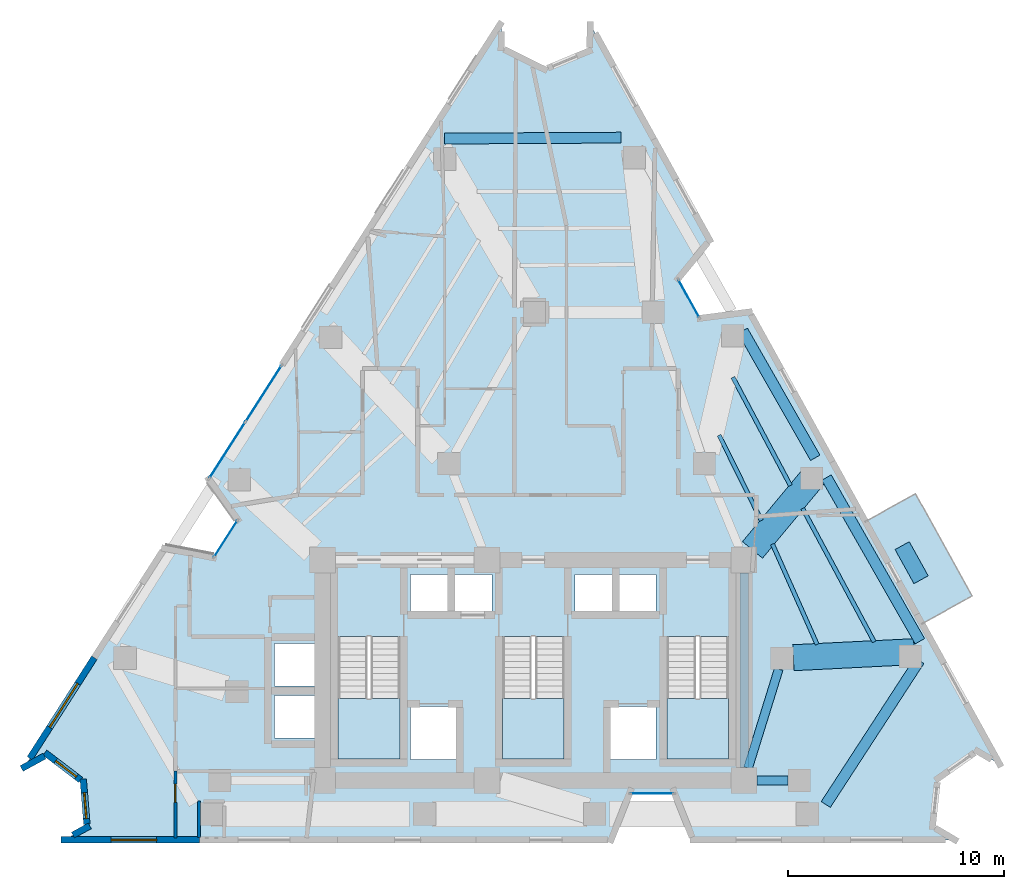
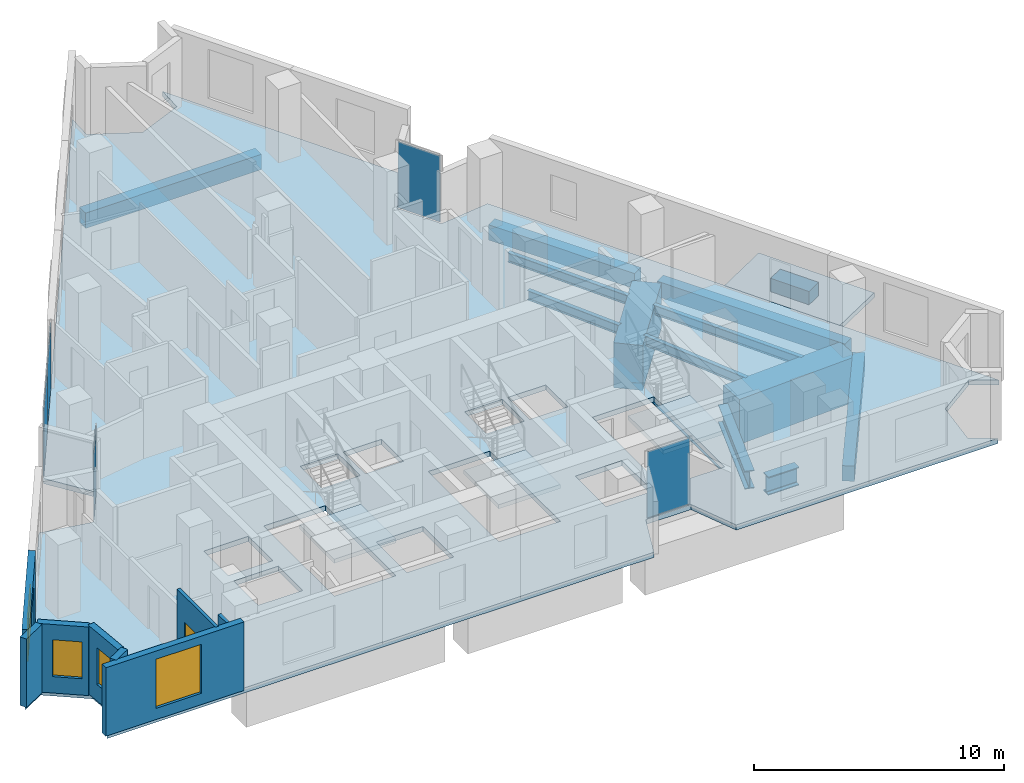
# One storey, part 4 of 11: 13 beams, 8 walls, 6 plates, 5 slabs, 4 windows, 1 door, 5 openings, 7 elements without a shape of their own.
"""IFC4 building model written with IfcOpenShell, lengths in metres."""

from ifc_helpers import new_model, si_unit, direction, frame, frame_2d, origin, origin_2d, place, context, subcontext, project, spatial, polyline, rectangle, i_section, outline, extrude, material, layer, layer_set, material_profile, profile_set, type_object, element, fill, aggregate, save


model = new_model("IFC4")

# Units and contexts
model_context = context("Model", 3, precision=1e-05, world=origin(), true_north=direction((0.0, 1.0)))
body_context = subcontext(model_context, "Body", "Model", "MODEL_VIEW")
ifc_project = project(units=[si_unit("LENGTHUNIT", "METRE"), si_unit("AREAUNIT", "SQUARE_METRE"), si_unit("VOLUMEUNIT", "CUBIC_METRE"), si_unit("PLANEANGLEUNIT", "RADIAN"), si_unit("MASSUNIT", "GRAM", prefix="KILO")], contexts=[model_context])

# Site, building, storey
site_placement = place(None, origin())
site = spatial("IfcSite", under=ifc_project, at=site_placement, CompositionType="ELEMENT")
building_placement = place(site_placement, origin())
building = spatial("IfcBuilding", under=site, at=building_placement, Name="Almagre Mirador Tower", CompositionType="ELEMENT")
storey_placement = place(building_placement, frame((0.0, 0.0, 153.60009765625)))
storey = spatial("IfcBuildingStorey", under=building, at=storey_placement, Name="L39", CompositionType="ELEMENT", Elevation=153.60009765625)

# Beams
ifc_material_1 = material(Name="Steel ASTM A992 Grade 50", Category="steel")
ifc_material_profile_1 = material_profile(ifc_material_1, i_section(OverallWidth=0.19091796875, OverallDepth=0.4599609375, WebThickness=0.010009765625, FlangeThickness=0.01611328125, FilletRadius=0.01611328125, at=origin_2d()), Name="W18X55")
ifc_profile_set_1 = profile_set([ifc_material_profile_1], Name="Steel ASTM A992 Grade 50")
beam_type_1 = type_object("IfcBeamType", Name="BM-JST-W18X55", PredefinedType="JOIST", material=ifc_profile_set_1)
beam_1_placement = place(storey_placement, frame((53.062255859375, 10.956787109375, -0.47998046875), z_axis=(-0.472710768093, 0.881217640387, 0.0), x_axis=(-0.881217640387, -0.472710768093, 0.0)))
element("IfcBeam", 1, at=beam_1_placement, inside=storey, type_object=beam_type_1, Name="L39 secondary floor joist PC05-PC06.1", PredefinedType="JOIST", context=body_context, shape_type="SweptSolid", body=[
    extrude(i_section(OverallWidth=0.19091796875, OverallDepth=0.4599609375, WebThickness=0.010009765625, FlangeThickness=0.01611328125, FilletRadius=0.01611328125, at=origin_2d()), origin(), (0.0, 0.0, 1.0), 7.00439453125),
])
beam_2_placement = place(storey_placement, frame((50.420654296875, 10.841796875, -0.47998046875), z_axis=(-0.406807753799, 0.913513793793, 0.0), x_axis=(-0.913513793793, -0.406807753799, 0.0)))
element("IfcBeam", 2, at=beam_2_placement, inside=storey, type_object=beam_type_1, Name="L39 secondary floor joist PC05-PC06.3", PredefinedType="JOIST", context=body_context, shape_type="SweptSolid", body=[
    extrude(i_section(OverallWidth=0.19091796875, OverallDepth=0.4599609375, WebThickness=0.010009765625, FlangeThickness=0.01611328125, FilletRadius=0.01611328125, at=origin_2d()), origin(), (0.0, 0.0, 1.0), 5.075927734375),
])
beam_3_placement = place(storey_placement, frame((49.185791015625, 18.187744140625, -0.47998046875), z_axis=(-0.469208744912, 0.883087285436, 0.0), x_axis=(-0.883087285436, -0.469208744912, 0.0)))
element("IfcBeam", 3, at=beam_3_placement, inside=storey, type_object=beam_type_1, Name="L39 secondary floor joist PC06-PC07.1", PredefinedType="JOIST", context=body_context, shape_type="SweptSolid", body=[
    extrude(i_section(OverallWidth=0.19091796875, OverallDepth=0.4599609375, WebThickness=0.010009765625, FlangeThickness=0.01611328125, FilletRadius=0.01611328125, at=origin_2d()), origin(), (0.0, 0.0, 1.0), 5.669921875),
])
beam_4_placement = place(storey_placement, frame((47.845458984375, 16.564697265625, -0.47998046875), z_axis=(-0.44348398442, 0.896282296803, 0.0), x_axis=(-0.896282296803, -0.44348398442, 0.0)))
element("IfcBeam", 4, at=beam_4_placement, inside=storey, type_object=beam_type_1, Name="L39 secondary floor joist PC06-PC07.3", PredefinedType="JOIST", context=body_context, shape_type="SweptSolid", body=[
    extrude(i_section(OverallWidth=0.19091796875, OverallDepth=0.4599609375, WebThickness=0.010009765625, FlangeThickness=0.01611328125, FilletRadius=0.01611328125, at=origin_2d()), origin(), (0.0, 0.0, 1.0), 4.403564453125),
])
ifc_material_2 = material(Name="Precast concrete C50/60", Category="concrete")
ifc_material_profile_2 = material_profile(ifc_material_2, rectangle(XDim=0.5, YDim=0.75, at=origin_2d()), Name="RC500X750")
ifc_profile_set_2 = profile_set([ifc_material_profile_2], Name="Precast concrete C50/60")
beam_type_2 = type_object("IfcBeamType", Name="BM-SPN-RC500X750", PredefinedType="SPANDREL", material=ifc_profile_set_2)
beam_5_placement = place(storey_placement, frame((50.822265625, 3.440185546875, -0.625), z_axis=(0.545085674256, 0.838380347885, 0.0), x_axis=(-0.838380347885, 0.545085674256, 0.0)))
element("IfcBeam", 5, at=beam_5_placement, inside=storey, type_object=beam_type_2, Name="L39 perimeter spandrel beam PC04-PC05", PredefinedType="SPANDREL", context=body_context, shape_type="SweptSolid", body=[
    extrude(rectangle(XDim=0.5, YDim=0.75, at=origin_2d()), origin(), (0.0, 0.0, 1.0), 7.935302734375),
])
beam_6_placement = place(storey_placement, frame((55.173828125, 10.989013671875, -0.625), z_axis=(-0.495713443993, 0.868486143496, 0.0), x_axis=(-0.868486143496, -0.495713443993, 0.0)))
element("IfcBeam", 6, at=beam_6_placement, inside=storey, type_object=beam_type_2, Name="L39 perimeter spandrel beam PC05-PC06", PredefinedType="SPANDREL", context=body_context, shape_type="SweptSolid", body=[
    extrude(rectangle(XDim=0.5, YDim=0.75, at=origin_2d()), origin(), (0.0, 0.0, 1.0), 8.7138671875),
])
beam_7_placement = place(storey_placement, frame((50.333740234375, 19.468994140625, -0.625), z_axis=(-0.495703346728, 0.868491906723, 0.0), x_axis=(-0.868491906723, -0.495703346728, 0.0)))
element("IfcBeam", 7, at=beam_7_placement, inside=storey, type_object=beam_type_2, Name="L39 perimeter spandrel beam PC06-PC07", PredefinedType="SPANDREL", context=body_context, shape_type="SweptSolid", body=[
    extrude(rectangle(XDim=0.5, YDim=0.75, at=origin_2d()), origin(), (0.0, 0.0, 1.0), 6.76123046875),
])
beam_8_placement = place(storey_placement, frame((41.35693359375, 34.274169921875, -0.625), z_axis=(-0.999985336868, -0.005415353079, 0.0), x_axis=(0.005415353079, -0.999985336868, 0.0)))
element("IfcBeam", 8, at=beam_8_placement, inside=storey, type_object=beam_type_2, Name="L39 perimeter spandrel beam PC08-PC09", PredefinedType="SPANDREL", context=body_context, shape_type="SweptSolid", body=[
    extrude(rectangle(XDim=0.5, YDim=0.75, at=origin_2d()), origin(), (0.0, 0.0, 1.0), 8.159912109375),
])
ifc_material_3 = material(Name="Steel ASTM A992 Grade 50", Category="steel")
ifc_material_profile_3 = material_profile(ifc_material_3, i_section(OverallWidth=0.404052734375, OverallDepth=0.884033203125, WebThickness=0.0244140625, FlangeThickness=0.0439453125, FilletRadius=0.02490234375, at=origin_2d()), Name="W33X291")
ifc_profile_set_3 = profile_set([ifc_material_profile_3], Name="Steel ASTM A992 Grade 50")
beam_type_3 = type_object("IfcBeamType", Name="BM-STL-W33X291", PredefinedType="BEAM", material=ifc_profile_set_3)
beam_9_placement = place(storey_placement, frame((47.050048828125, 5.14990234375, -0.692138671875), z_axis=(0.0, 1.0, 0.0), x_axis=(-1.0, 0.0, 0.0)))
element("IfcBeam", 9, at=beam_9_placement, inside=storey, type_object=beam_type_3, Name="L39 core tie girder CC3-CC6", PredefinedType="BEAM", context=body_context, shape_type="SweptSolid", body=[
    extrude(i_section(OverallWidth=0.404052734375, OverallDepth=0.884033203125, WebThickness=0.0244140625, FlangeThickness=0.0439453125, FilletRadius=0.02490234375, at=origin_2d()), origin(), (0.0, 0.0, 1.0), 9.0),
])
beam_10_placement = place(storey_placement, frame((49.074951171875, 4.550048828125, -0.692138671875), z_axis=(-1.0, 0.0, 0.0), x_axis=(0.0, -1.0, 0.0)))
element("IfcBeam", 10, at=beam_10_placement, inside=storey, type_object=beam_type_3, Name="L39 core tie girder MC2-CC3", PredefinedType="BEAM", context=body_context, shape_type="SweptSolid", body=[
    extrude(i_section(OverallWidth=0.404052734375, OverallDepth=0.884033203125, WebThickness=0.0244140625, FlangeThickness=0.0439453125, FilletRadius=0.02490234375, at=origin_2d()), origin(), (0.0, 0.0, 1.0), 1.425048828125),
])
beam_11_placement = place(storey_placement, frame((48.644775390625, 9.698486328125, -0.692138671875), z_axis=(-0.295879743348, -0.955225197258, 0.0), x_axis=(0.955225197258, -0.295879743348, 0.0)))
element("IfcBeam", 11, at=beam_11_placement, inside=storey, type_object=beam_type_3, Name="L39 core tie girder MC3-CC3", PredefinedType="BEAM", context=body_context, shape_type="SweptSolid", body=[
    extrude(i_section(OverallWidth=0.404052734375, OverallDepth=0.884033203125, WebThickness=0.0244140625, FlangeThickness=0.0439453125, FilletRadius=0.02490234375, at=origin_2d()), origin(), (0.0, 0.0, 1.0), 4.789794921875),
])
ifc_material_4 = material(Name="Concrete C60/75", Category="concrete")
ifc_material_profile_4 = material_profile(ifc_material_4, rectangle(XDim=1.199951171875, YDim=2.199951171875, at=origin_2d()), Name="RC1200X2200")
ifc_profile_set_4 = profile_set([ifc_material_profile_4], Name="Concrete C60/75")
beam_type_4 = type_object("IfcBeamType", Name="BM-XFER-RC1200X2200", PredefinedType="BEAM", material=ifc_profile_set_4)
beam_12_placement = place(storey_placement, frame((54.90966796875, 10.506591796875, -1.35009765625), z_axis=(-0.998743395924, -0.050116156068, 0.0), x_axis=(0.050116156068, -0.998743395924, 0.0)))
element("IfcBeam", 12, at=beam_12_placement, inside=storey, type_object=beam_type_4, Name="L39 radial transfer girder PC05-MC3", PredefinedType="BEAM", context=body_context, shape_type="SweptSolid", body=[
    extrude(rectangle(XDim=1.199951171875, YDim=2.199951171875, at=origin_2d()), origin(), (0.0, 0.0, 1.0), 5.592529296875),
])
beam_13_placement = place(storey_placement, frame((50.25830078125, 18.609375, -1.35009765625), z_axis=(-0.639260058881, -0.768990622257, 0.0), x_axis=(0.768990622257, -0.639260058881, 0.0)))
element("IfcBeam", 13, at=beam_13_placement, inside=storey, type_object=beam_type_4, Name="L39 radial transfer girder PC06-CC6", PredefinedType="BEAM", context=body_context, shape_type="SweptSolid", body=[
    extrude(rectangle(XDim=1.199951171875, YDim=2.199951171875, at=origin_2d()), origin(), (0.0, 0.0, 1.0), 4.418701171875),
])

# Curtain wall, plate
ifc_material_5 = material(Name="Black anodized aluminium", Category="aluminium")
ifc_layer_1 = layer(ifc_material_5, 0.169921875)
ifc_layer_set_1 = layer_set([ifc_layer_1], Name="Black anodized aluminium")
curtain_wall_type_1 = type_object("IfcCurtainWallType", Name="CW-CRS-SYS", PredefinedType="NOTDEFINED", material=ifc_layer_set_1)
curtain_wall_1_placement = place(storey_placement, origin())
curtain_wall_1 = element("IfcCurtainWall", 14, at=curtain_wall_1_placement, inside=storey, type_object=curtain_wall_type_1, Name="L39 vertical crease curtain wall 01", PredefinedType="NOTDEFINED")
ifc_material_6 = material(Name="Dark solar-control laminated hurricane glass", Category="glass")
ifc_layer_2 = layer(ifc_material_6, 0.028076171875)
ifc_layer_set_2 = layer_set([ifc_layer_2], Name="Dark solar-control laminated hurricane glass")
plate_type_1 = type_object("IfcPlateType", Name="PLT-GLZ-28", PredefinedType="CURTAIN_PANEL", material=ifc_layer_set_2)
plate_1_placement = place(storey_placement, frame((23.076904296875, 15.72607421875, 0.059814453125), z_axis=(0.0, 0.0, 1.0), x_axis=(0.539596564827, 0.841923718176, 0.0)))
plate_1 = element("IfcPlate", 15, at=plate_1_placement, type_object=plate_type_1, Name="CW-4 panel 1.1", PredefinedType="CURTAIN_PANEL", context=body_context, shape_type="SweptSolid", body=[
    extrude(rectangle(XDim=1.970458984375, YDim=0.028076171875, at=origin_2d()), origin(), (0.0, 0.0, 1.0), 3.22998046875),
])
aggregate(curtain_wall_1, [plate_1])

curtain_wall_2_placement = place(storey_placement, origin())
curtain_wall_2 = element("IfcCurtainWall", 16, at=curtain_wall_2_placement, inside=storey, type_object=curtain_wall_type_1, Name="L39 vertical crease curtain wall 03", PredefinedType="NOTDEFINED")
plate_2_placement = place(storey_placement, frame((44.490966796875, 26.8310546875, 0.059814453125), z_axis=(0.0, 0.0, 1.0), x_axis=(0.48434204979, -0.874878722341, 0.0)))
plate_2 = element("IfcPlate", 17, at=plate_2_placement, type_object=plate_type_1, Name="CW-4 panel 1.1", PredefinedType="CURTAIN_PANEL", context=body_context, shape_type="SweptSolid", body=[
    extrude(rectangle(XDim=1.969482421875, YDim=0.028076171875, at=origin_2d()), origin(), (0.0, 0.0, 1.0), 3.22998046875),
])
aggregate(curtain_wall_2, [plate_2])

curtain_wall_3_placement = place(storey_placement, origin())
curtain_wall_3 = element("IfcCurtainWall", 18, at=curtain_wall_3_placement, inside=storey, type_object=curtain_wall_type_1, Name="L39 vertical crease curtain wall 04", PredefinedType="NOTDEFINED")
plate_3_placement = place(storey_placement, frame((42.7919921875, 3.949951171875, 0.059814453125), z_axis=(0.0, 0.0, 1.0), x_axis=(-1.0, 0.0, 0.0)))
plate_3 = element("IfcPlate", 19, at=plate_3_placement, type_object=plate_type_1, Name="CW-4 panel 1.1", PredefinedType="CURTAIN_PANEL", context=body_context, shape_type="SweptSolid", body=[
    extrude(rectangle(XDim=1.969970703125, YDim=0.028076171875, at=origin_2d()), origin(), (0.0, 0.0, 1.0), 3.22998046875),
])
aggregate(curtain_wall_3, [plate_3])

# Curtain wall, plates
ifc_material_7 = material(Name="Black anodized aluminium", Category="aluminium")
ifc_layer_3 = layer(ifc_material_7, 0.199951171875)
ifc_layer_set_3 = layer_set([ifc_layer_3], Name="Black anodized aluminium")
curtain_wall_type_2 = type_object("IfcCurtainWallType", Name="CW-RES-H-SYS", PredefinedType="NOTDEFINED", material=ifc_layer_set_3)
curtain_wall_4_placement = place(storey_placement, origin())
curtain_wall_4 = element("IfcCurtainWall", 20, at=curtain_wall_4_placement, inside=storey, type_object=curtain_wall_type_2, Name="L39 curtain wall run 02", PredefinedType="NOTDEFINED")
ifc_material_8 = material(Name="Dark solar-control laminated hurricane glass", Category="glass")
ifc_layer_4 = layer(ifc_material_8, 0.035888671875)
ifc_layer_set_4 = layer_set([ifc_layer_4], Name="Dark solar-control laminated hurricane glass")
plate_type_2 = type_object("IfcPlateType", Name="PLT-GLZ-36", PredefinedType="CURTAIN_PANEL", material=ifc_layer_set_4)
plate_4_placement = place(storey_placement, frame((23.147705078125, 19.8203125, 0.06494140625), z_axis=(0.0, 0.0, 1.0), x_axis=(0.539506915253, 0.841981168669, 0.0)))
plate_4 = element("IfcPlate", 21, at=plate_4_placement, type_object=plate_type_2, Name="CW-3 panel 1.1", PredefinedType="CURTAIN_PANEL", context=body_context, shape_type="SweptSolid", body=[
    extrude(rectangle(XDim=3.0419921875, YDim=0.035888671875, at=origin_2d()), origin(), (0.0, 0.0, 1.0), 3.219970703125),
])
plate_5_placement = place(storey_placement, frame((24.823974609375, 22.436279296875, 0.06494140625), z_axis=(0.0, 0.0, 1.0), x_axis=(0.539506915253, 0.841981168669, 0.0)))
plate_5 = element("IfcPlate", 22, at=plate_5_placement, type_object=plate_type_2, Name="CW-3 panel 2.1", PredefinedType="CURTAIN_PANEL", context=body_context, shape_type="SweptSolid", body=[
    extrude(rectangle(XDim=3.0419921875, YDim=0.035888671875, at=origin_2d()), origin(), (0.0, 0.0, 1.0), 3.219970703125),
])
aggregate(curtain_wall_4, [plate_4, plate_5])

# Plate
ifc_material_9 = material(Name="Precast concrete C50/60", Category="concrete")
ifc_layer_5 = layer(ifc_material_9, 0.64990234375)
ifc_layer_set_5 = layer_set([ifc_layer_5], Name="Precast concrete C50/60")
plate_type_3 = type_object("IfcPlateType", Name="PLT-PLANTER-1800", PredefinedType="USERDEFINED", material=ifc_layer_set_5)
plate_6_placement = place(storey_placement, frame((54.791015625, 14.6201171875, 0.0), z_axis=(0.0, 0.0, 1.0), x_axis=(-0.484198902407, 0.874957954937, 0.0)))
element("IfcPlate", 23, at=plate_6_placement, inside=storey, type_object=plate_type_3, Name="L39 east balcony structural tree planter 1", ObjectType="PLANTER", PredefinedType="USERDEFINED", context=body_context, shape_type="SweptSolid", body=[
    extrude(rectangle(XDim=1.800048828125, YDim=0.75, at=origin_2d()), origin(), (0.0, 0.0, 1.0), 0.64990234375),
])

# Slabs
ifc_material_10 = material(Name="Concrete C45/55", Category="concrete")
ifc_layer_6 = layer(ifc_material_10, 0.239990234375)
ifc_layer_set_6 = layer_set([ifc_layer_6], Name="Concrete C45/55")
slab_type_1 = type_object("IfcSlabType", Name="SLB-BAL-240", PredefinedType="USERDEFINED", material=ifc_layer_set_6)
slab_1_placement = place(storey_placement, frame((0.0, 0.0, -0.239990234375)))
element("IfcSlab", 24, at=slab_1_placement, inside=storey, type_object=slab_type_1, Name="L39 east planted tree balcony 1", ObjectType="BALCONY", PredefinedType="USERDEFINED", context=body_context, shape_type="SweptSolid", body=[
    extrude(outline(polyline([(55.25, 11.7880859375), (52.635986328125, 16.511962890625), (54.970947265625, 17.805908203125), (57.5859375, 13.0810546875), (55.25, 11.7880859375)])), origin(), (0.0, 0.0, 1.0), 0.239990234375),
])
ifc_material_11 = material(Name="Concrete C45/55", Category="concrete")
ifc_layer_7 = layer(ifc_material_11, 0.25)
ifc_layer_set_7 = layer_set([ifc_layer_7], Name="Concrete C45/55")
slab_type_2 = type_object("IfcSlabType", Name="SLB-FLR-250", PredefinedType="FLOOR", material=ifc_layer_set_7)
slab_2_placement = place(storey_placement, frame((0.0, 0.0, -0.25)))
element("IfcSlab", 25, at=slab_2_placement, inside=storey, type_object=slab_type_2, Name="L39 structural floor slab", PredefinedType="FLOOR", context=body_context, shape_type="SweptSolid", body=[
    extrude(outline(polyline([(13.758056640625, 5.16796875), (14.823974609375, 5.7509765625), (16.49609375, 4.47705078125), (16.666015625, 2.383056640625), (15.60009765625, 1.800048828125), (40.89208984375, 1.800048828125), (41.7470703125, 3.949951171875), (43.8369140625, 3.949951171875), (44.69189453125, 1.800048828125), (56.800048828125, 1.800048828125), (55.7529296875, 2.4169921875), (55.992919921875, 4.634033203125), (57.81689453125, 5.9169921875), (58.863037109375, 5.300048828125), (47.2919921875, 26.2099609375), (44.9970703125, 25.9169921875), (43.985107421875, 27.7451171875), (45.451904296875, 29.533935546875), (39.93701171875, 39.5), (39.89794921875, 38.285888671875), (37.820068359375, 37.423095703125), (35.802978515625, 38.41796875), (35.842041015625, 39.632080078125), (22.2919921875, 18.485107421875), (23.64111328125, 16.60595703125), (22.512939453125, 14.845947265625), (20.240966796875, 15.285888671875), (13.758056640625, 5.16796875)]), holes=[polyline([(43.47509765625, 5.550048828125), (43.47509765625, 11.196044921875), (46.324951171875, 11.196044921875), (46.324951171875, 5.550048828125), (43.47509765625, 5.550048828125)]), polyline([(40.820068359375, 5.52001953125), (40.820068359375, 7.97998046875), (42.97998046875, 7.97998046875), (42.97998046875, 5.52001953125), (40.820068359375, 5.52001953125)]), polyline([(41.219970703125, 12.320068359375), (41.219970703125, 14.080078125), (42.97998046875, 14.080078125), (42.97998046875, 12.320068359375), (41.219970703125, 12.320068359375)]), polyline([(39.219970703125, 12.320068359375), (39.219970703125, 14.080078125), (40.97998046875, 14.080078125), (40.97998046875, 12.320068359375), (39.219970703125, 12.320068359375)]), polyline([(35.875, 11.196044921875), (38.72509765625, 11.196044921875), (38.72509765625, 5.550048828125), (35.875, 5.550048828125), (35.875, 11.196044921875)]), polyline([(35.3798828125, 12.320068359375), (33.6201171875, 12.320068359375), (33.6201171875, 14.080078125), (35.3798828125, 14.080078125), (35.3798828125, 12.320068359375)]), polyline([(33.780029296875, 5.52001953125), (31.6201171875, 5.52001953125), (31.6201171875, 7.97998046875), (33.780029296875, 7.97998046875), (33.780029296875, 5.52001953125)]), polyline([(31.6201171875, 12.320068359375), (31.6201171875, 14.080078125), (33.3798828125, 14.080078125), (33.3798828125, 12.320068359375), (31.6201171875, 12.320068359375)]), polyline([(28.27490234375, 5.550048828125), (28.27490234375, 11.196044921875), (31.125, 11.196044921875), (31.125, 5.550048828125), (28.27490234375, 5.550048828125)]), polyline([(25.320068359375, 8.919921875), (25.320068359375, 10.8798828125), (27.3798828125, 10.8798828125), (27.3798828125, 8.919921875), (25.320068359375, 8.919921875)]), polyline([(27.3798828125, 6.52001953125), (25.320068359375, 6.52001953125), (25.320068359375, 8.47998046875), (27.3798828125, 8.47998046875), (27.3798828125, 6.52001953125)])]), origin(), (0.0, 0.0, 1.0), 0.25),
])

# Stair, slab
ifc_material_12 = material(Name="Concrete C45/55", Category="concrete")
stair_type = type_object("IfcStairType", Name="STR-DL-3600", PredefinedType="HALF_TURN_STAIR", material=ifc_material_12)
stair_1_placement = place(storey_placement, origin())
stair_1 = element("IfcStair", 26, at=stair_1_placement, inside=storey, type_object=stair_type, Name="L39 Protected exit stair ST-1", PredefinedType="HALF_TURN_STAIR")
ifc_material_13 = material(Name="Concrete C45/55", Category="concrete")
ifc_layer_8 = layer(ifc_material_13, 0.199951171875)
ifc_layer_set_8 = layer_set([ifc_layer_8], Name="Concrete C45/55")
slab_type_3 = type_object("IfcSlabType", Name="SLB-LND-200", PredefinedType="LANDING", material=ifc_layer_set_8)
slab_3_placement = place(storey_placement, frame((0.0, 0.0, 1.599853515625)))
slab_3 = element("IfcSlab", 27, at=slab_3_placement, type_object=slab_type_3, Name="ST-1 landing 1", PredefinedType="LANDING", context=body_context, shape_type="SweptSolid", body=[
    extrude(outline(polyline([(28.27490234375, 8.35009765625), (28.27490234375, 5.550048828125), (31.125, 5.550048828125), (31.125, 8.35009765625), (28.27490234375, 8.35009765625)])), origin(), (0.0, 0.0, 1.0), 0.199951171875),
])
aggregate(stair_1, [slab_3])

stair_2_placement = place(storey_placement, origin())
stair_2 = element("IfcStair", 28, at=stair_2_placement, inside=storey, type_object=stair_type, Name="L39 Protected exit stair ST-2", PredefinedType="HALF_TURN_STAIR")
slab_4_placement = place(storey_placement, frame((0.0, 0.0, 1.599853515625)))
slab_4 = element("IfcSlab", 29, at=slab_4_placement, type_object=slab_type_3, Name="ST-2 landing 1", PredefinedType="LANDING", context=body_context, shape_type="SweptSolid", body=[
    extrude(outline(polyline([(35.875, 8.35009765625), (35.875, 5.550048828125), (38.72509765625, 5.550048828125), (38.72509765625, 8.35009765625), (35.875, 8.35009765625)])), origin(), (0.0, 0.0, 1.0), 0.199951171875),
])
aggregate(stair_2, [slab_4])

stair_3_placement = place(storey_placement, origin())
stair_3 = element("IfcStair", 30, at=stair_3_placement, inside=storey, type_object=stair_type, Name="L39 Protected exit stair ST-3", PredefinedType="HALF_TURN_STAIR")
slab_5_placement = place(storey_placement, frame((0.0, 0.0, 1.599853515625)))
slab_5 = element("IfcSlab", 31, at=slab_5_placement, type_object=slab_type_3, Name="ST-3 landing 1", PredefinedType="LANDING", context=body_context, shape_type="SweptSolid", body=[
    extrude(outline(polyline([(43.47509765625, 8.35009765625), (43.47509765625, 5.550048828125), (46.324951171875, 5.550048828125), (46.324951171875, 8.35009765625), (43.47509765625, 8.35009765625)])), origin(), (0.0, 0.0, 1.0), 0.199951171875),
])
aggregate(stair_3, [slab_5])

# Wall, opening, window
ifc_material_14 = material(Name="Precast concrete C50/60", Category="concrete")
ifc_layer_9 = layer(ifc_material_14, 0.300048828125)
ifc_layer_set_9 = layer_set([ifc_layer_9], Name="Precast concrete C50/60")
wall_type_1 = type_object("IfcWallType", Name="WAL-EXT-300", PredefinedType="SOLIDWALL", material=ifc_layer_set_9)
wall_1_placement = place(storey_placement, frame((21.85302734375, 1.800048828125, 0.0), z_axis=(0.0, 0.0, 1.0), x_axis=(-1.0, 0.0, 0.0)))
wall_1 = element("IfcWall", 32, at=wall_1_placement, inside=storey, type_object=wall_type_1, Name="L39 expressed almagre precast frame wall 28", PredefinedType="SOLIDWALL", context=body_context, shape_type="SweptSolid", body=[
    extrude(rectangle(XDim=6.39306640625, YDim=0.300048828125, at=frame_2d((3.196533203125, 0.0))), origin(), (0.0, 0.0, 1.0), 3.349853515625),
])
opening_1_placement = place(wall_1_placement, frame((1.97509765625, 0.0, 0.550048828125)))
opening_1 = element("IfcOpeningElement", 33, at=opening_1_placement, cuts=wall_1, Name="Opening WN-05", PredefinedType="OPENING", context=body_context, shape_type="SweptSolid", body=[
    extrude(rectangle(XDim=2.10009765625, YDim=2.39990234375, at=frame_2d((1.050048828125, 1.199951171875))), frame((0.0, 0.159902, 0.0), z_axis=(0.0, -1.0, 0.0), x_axis=(1.0, 0.0, 0.0)), (0.0, 0.0, 1.0), 0.320049),
])
ifc_material_15 = material(Name="Dark solar-control laminated hurricane glass", Category="glass")
window_type_1 = type_object("IfcWindowType", Name="WIN-2100X2400", PartitioningType="DOUBLE_PANEL_VERTICAL", PredefinedType="WINDOW", material=ifc_material_15)
window_1_placement = place(opening_1_placement, origin())
window_1 = element("IfcWindow", 34, at=window_1_placement, inside=storey, type_object=window_type_1, Name="L39 recessed hurricane window L39-UA-LV", OverallHeight=2.39990234375, OverallWidth=2.10009765625, PartitioningType="SINGLE_PANEL", PredefinedType="WINDOW", context=body_context, shape_type="SweptSolid", body=[
    extrude(rectangle(XDim=2.10009765625, YDim=2.39990234375, at=frame_2d((1.050048828125, 1.199951171875))), frame((0.0, 0.030029296875, 0.0), z_axis=(0.0, -1.0, 0.0), x_axis=(1.0, 0.0, 0.0)), (0.0, 0.0, 1.0), 0.06005859375),
])
fill(opening_1, window_1)

# Wall
wall_2_placement = place(storey_placement, frame((16.012451171875, 2.025390625, 0.0), z_axis=(0.0, 0.0, 1.0), x_axis=(0.877262241919, 0.480011415389, 0.0)))
element("IfcWall", 35, at=wall_2_placement, inside=storey, type_object=wall_type_1, Name="L39 expressed almagre precast frame wall 29", PredefinedType="SOLIDWALL", context=body_context, shape_type="SweptSolid", body=[
    extrude(rectangle(XDim=0.885009765625, YDim=0.300048828125, at=frame_2d((0.4423828125, 0.0))), origin(), (0.0, 0.0, 1.0), 3.349853515625),
])

# Wall, opening, window
wall_3_placement = place(storey_placement, frame((16.654296875, 2.527587890625, 0.0), z_axis=(0.0, 0.0, 1.0), x_axis=(-0.080962879454, 0.996717117416, 0.0)))
wall_3 = element("IfcWall", 36, at=wall_3_placement, inside=storey, type_object=wall_type_1, Name="L39 expressed almagre precast frame wall 30", PredefinedType="SOLIDWALL", context=body_context, shape_type="SweptSolid", body=[
    extrude(rectangle(XDim=2.095703125, YDim=0.300048828125, at=frame_2d((1.0478515625, 0.0))), origin(), (0.0, 0.0, 1.0), 3.349853515625),
])
opening_2_placement = place(wall_3_placement, frame((0.264892578125, 0.0, 0.800048828125)))
opening_2 = element("IfcOpeningElement", 37, at=opening_2_placement, cuts=wall_3, Name="Opening WN-04", PredefinedType="OPENING", context=body_context, shape_type="SweptSolid", body=[
    extrude(rectangle(XDim=1.199951171875, YDim=1.800048828125, at=frame_2d((0.60009765625, 0.89990234375))), frame((0.0, 0.159902, 0.0), z_axis=(0.0, -1.0, 0.0), x_axis=(1.0, 0.0, 0.0)), (0.0, 0.0, 1.0), 0.320049),
])
ifc_material_16 = material(Name="Dark solar-control laminated hurricane glass", Category="glass")
window_type_2 = type_object("IfcWindowType", Name="WIN-1200X1800", PartitioningType="SINGLE_PANEL", PredefinedType="WINDOW", material=ifc_material_16)
window_2_placement = place(opening_2_placement, origin())
window_2 = element("IfcWindow", 38, at=window_2_placement, inside=storey, type_object=window_type_2, Name="L39 recessed hurricane window L39-UA-LV", OverallHeight=1.800048828125, OverallWidth=1.199951171875, PartitioningType="SINGLE_PANEL", PredefinedType="WINDOW", context=body_context, shape_type="SweptSolid", body=[
    extrude(rectangle(XDim=1.199951171875, YDim=1.800048828125, at=frame_2d((0.60009765625, 0.89990234375))), frame((0.0, 0.030029296875, 0.0), z_axis=(0.0, -1.0, 0.0), x_axis=(1.0, 0.0, 0.0)), (0.0, 0.0, 1.0), 0.06005859375),
])
fill(opening_2, window_2)

wall_4_placement = place(storey_placement, frame((16.376708984375, 4.56787109375, 0.0), z_axis=(0.0, 0.0, 1.0), x_axis=(-0.795383499791, 0.606106499107, 0.0)))
wall_4 = element("IfcWall", 39, at=wall_4_placement, inside=storey, type_object=wall_type_1, Name="L39 expressed almagre precast frame wall 31", PredefinedType="SOLIDWALL", context=body_context, shape_type="SweptSolid", body=[
    extrude(rectangle(XDim=2.092041015625, YDim=0.300048828125, at=frame_2d((1.0458984375, 0.0))), origin(), (0.0, 0.0, 1.0), 3.349853515625),
])
opening_3_placement = place(wall_4_placement, frame((0.260009765625, 0.0, 0.800048828125)))
opening_3 = element("IfcOpeningElement", 40, at=opening_3_placement, cuts=wall_4, Name="Opening WN-04", PredefinedType="OPENING", context=body_context, shape_type="SweptSolid", body=[
    extrude(rectangle(XDim=1.199951171875, YDim=1.800048828125, at=frame_2d((0.60009765625, 0.89990234375))), frame((0.0, 0.159902, 0.0), z_axis=(0.0, -1.0, 0.0), x_axis=(1.0, 0.0, 0.0)), (0.0, 0.0, 1.0), 0.320049),
])
window_3_placement = place(opening_3_placement, origin())
window_3 = element("IfcWindow", 41, at=window_3_placement, inside=storey, type_object=window_type_2, Name="L39 recessed hurricane window L39-UA-LV", OverallHeight=1.800048828125, OverallWidth=1.199951171875, PartitioningType="SINGLE_PANEL", PredefinedType="WINDOW", context=body_context, shape_type="SweptSolid", body=[
    extrude(rectangle(XDim=1.199951171875, YDim=1.800048828125, at=frame_2d((0.60009765625, 0.89990234375))), frame((0.0, 0.030029296875, 0.0), z_axis=(0.0, -1.0, 0.0), x_axis=(1.0, 0.0, 0.0)), (0.0, 0.0, 1.0), 0.06005859375),
])
fill(opening_3, window_3)

# Wall
wall_5_placement = place(storey_placement, frame((14.69677734375, 5.681396484375, 0.0), z_axis=(0.0, 0.0, 1.0), x_axis=(-0.877355211776, -0.47984146587, 0.0)))
element("IfcWall", 42, at=wall_5_placement, inside=storey, type_object=wall_type_1, Name="L39 expressed almagre precast frame wall 32", PredefinedType="SOLIDWALL", context=body_context, shape_type="SweptSolid", body=[
    extrude(rectangle(XDim=1.2099609375, YDim=0.300048828125, at=frame_2d((0.60498046875, 0.0))), origin(), (0.0, 0.0, 1.0), 3.349853515625),
])

# Wall, opening, window
wall_6_placement = place(storey_placement, frame((14.01708984375, 5.572021484375, 0.0), z_axis=(0.0, 0.0, 1.0), x_axis=(0.539464660722, 0.84200824214, 0.0)))
wall_6 = element("IfcWall", 43, at=wall_6_placement, inside=storey, type_object=wall_type_1, Name="L39 expressed almagre precast frame wall 33", PredefinedType="SOLIDWALL", context=body_context, shape_type="SweptSolid", body=[
    extrude(rectangle(XDim=5.528564453125, YDim=0.300048828125, at=frame_2d((2.76416015625, 0.0))), origin(), (0.0, 0.0, 1.0), 3.349853515625),
])
opening_4_placement = place(wall_6_placement, frame((1.705078125, 0.0, 0.60009765625)))
opening_4 = element("IfcOpeningElement", 44, at=opening_4_placement, cuts=wall_6, Name="Opening WN-02", PredefinedType="OPENING", context=body_context, shape_type="SweptSolid", body=[
    extrude(rectangle(XDim=2.39990234375, YDim=2.10009765625, at=frame_2d((1.199951171875, 1.050048828125))), frame((0.0, 0.159902, 0.0), z_axis=(0.0, -1.0, 0.0), x_axis=(1.0, 0.0, 0.0)), (0.0, 0.0, 1.0), 0.320049),
])
ifc_material_17 = material(Name="Dark solar-control laminated hurricane glass", Category="glass")
window_type_3 = type_object("IfcWindowType", Name="WIN-2400X2100", PartitioningType="TRIPLE_PANEL_VERTICAL", PredefinedType="WINDOW", material=ifc_material_17)
window_4_placement = place(opening_4_placement, origin())
window_4 = element("IfcWindow", 45, at=window_4_placement, inside=storey, type_object=window_type_3, Name="L39 recessed hurricane window L39-UA-LV", OverallHeight=2.10009765625, OverallWidth=2.39990234375, PartitioningType="SINGLE_PANEL", PredefinedType="WINDOW", context=body_context, shape_type="SweptSolid", body=[
    extrude(rectangle(XDim=2.39990234375, YDim=2.10009765625, at=frame_2d((1.199951171875, 1.050048828125))), frame((0.0, 0.030029296875, 0.0), z_axis=(0.0, -1.0, 0.0), x_axis=(1.0, 0.0, 0.0)), (0.0, 0.0, 1.0), 0.06005859375),
])
fill(opening_4, window_4)

# Wall, opening, door
ifc_material_18 = material(Name="Gypsum acoustic stud partition", Category="other")
ifc_layer_10 = layer(ifc_material_18, 0.14990234375)
ifc_layer_set_10 = layer_set([ifc_layer_10], Name="Gypsum acoustic stud partition")
wall_type_2 = type_object("IfcWallType", Name="WAL-PRT-150-STD", PredefinedType="PARTITIONING", material=ifc_layer_set_10)
wall_7_placement = place(storey_placement, frame((20.75, 1.89990234375, 0.0), z_axis=(0.0, 0.0, 1.0), x_axis=(0.0, 1.0, 0.0)))
wall_7 = element("IfcWall", 46, at=wall_7_placement, inside=storey, type_object=wall_type_2, Name="L39 interior partition 027", PredefinedType="PARTITIONING", context=body_context, shape_type="SweptSolid", body=[
    extrude(rectangle(XDim=3.080078125, YDim=0.14990234375, at=frame_2d((1.5400390625, 0.0))), origin(), (0.0, 0.0, 1.0), 3.349853515625),
])
opening_5_placement = place(wall_7_placement, frame((1.634521484375, 0.0, 0.0)))
opening_5 = element("IfcOpeningElement", 47, at=opening_5_placement, cuts=wall_7, Name="Opening UD-04", PredefinedType="OPENING", context=body_context, shape_type="SweptSolid", body=[
    extrude(rectangle(XDim=0.85009765625, YDim=2.10009765625, at=frame_2d((0.425048828125, 1.050048828125))), frame((0.0, 0.084951, 0.0), z_axis=(0.0, -1.0, 0.0), x_axis=(1.0, 0.0, 0.0)), (0.0, 0.0, 1.0), 0.169902),
])
ifc_material_19 = material(Name="Moisture-resistant oak timber", Category="wood")
door_type = type_object("IfcDoorType", Name="DOR-UNR-850X2100", OperationType="NOTDEFINED", PredefinedType="DOOR", material=ifc_material_19)
door_placement = place(opening_5_placement, origin())
door = element("IfcDoor", 48, at=door_placement, inside=storey, type_object=door_type, Name="DR-1269 L39 interior door L39-UA-LV to L39-UA-HB", OperationType="SINGLE_SWING_RIGHT", OverallHeight=2.10009765625, OverallWidth=0.85009765625, PredefinedType="DOOR", context=body_context, shape_type="SweptSolid", body=[
    extrude(rectangle(XDim=0.85009765625, YDim=2.10009765625, at=frame_2d((0.425048828125, 1.050048828125))), frame((0.0, 0.02490234375, 0.0), z_axis=(0.0, -1.0, 0.0), x_axis=(1.0, 0.0, 0.0)), (0.0, 0.0, 1.0), 0.050048828125),
])
fill(opening_5, door)

# Wall
wall_8_placement = place(storey_placement, frame((21.840087890625, 1.908935546875, 0.0), z_axis=(0.0, 0.0, 1.0), x_axis=(0.0, 1.0, 0.0)))
element("IfcWall", 49, at=wall_8_placement, inside=storey, type_object=wall_type_2, Name="L39 interior partition 069", PredefinedType="PARTITIONING", context=body_context, shape_type="SweptSolid", body=[
    extrude(rectangle(XDim=1.68115234375, YDim=0.14990234375, at=frame_2d((0.840576171875, 0.0))), origin(), (0.0, 0.0, 1.0), 2.56982421875),
])

save(model, "model.ifc")
